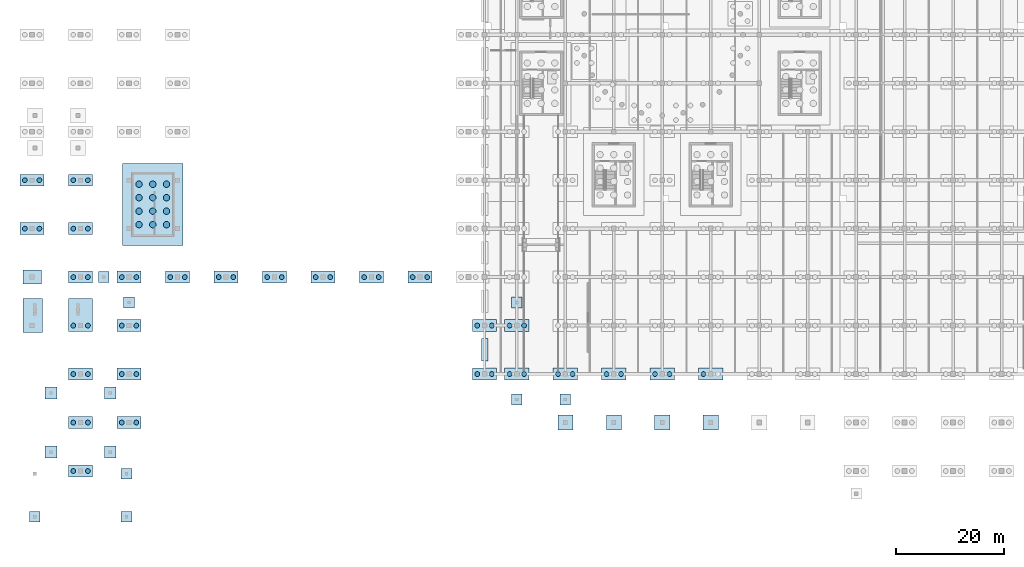
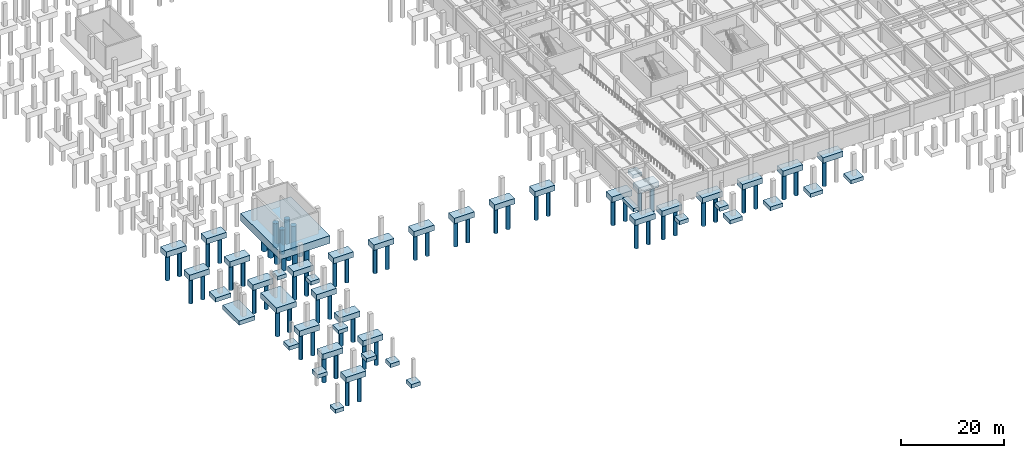
# One storey, part 1 of 27: 65 piles, 47 footings.
"""IFC4 building model written with IfcOpenShell, lengths in metres."""

from ifc_helpers import new_model, si_unit, direction, frame, origin, origin_2d, place, context, subcontext, project, spatial, polyline, circle, outline, extrude, material, layer, layer_set, material_profile, profile_set, type_object, element, save


model = new_model("IFC4")

# Units and contexts
model_context = context("Model", 3, precision=1e-05, world=origin(), true_north=direction((0.0, 1.0)))
body_context = subcontext(model_context, "Body", "Model", "MODEL_VIEW")
ifc_project = project(units=[si_unit("LENGTHUNIT", "METRE"), si_unit("AREAUNIT", "SQUARE_METRE"), si_unit("VOLUMEUNIT", "CUBIC_METRE"), si_unit("PLANEANGLEUNIT", "RADIAN"), si_unit("MASSUNIT", "GRAM", prefix="KILO")], contexts=[model_context])

# Site, building, storey
site_placement = place(None, origin())
site = spatial("IfcSite", under=ifc_project, at=site_placement, CompositionType="ELEMENT")
building_placement = place(site_placement, origin())
building = spatial("IfcBuilding", under=site, at=building_placement, Name="Dornveld Trade and Exhibition Forum", CompositionType="ELEMENT")
storey_placement = place(building_placement, frame((0.0, 0.0, -4.800048828125)))
storey = spatial("IfcBuildingStorey", under=building, at=storey_placement, Name="B1", CompositionType="ELEMENT", Elevation=-4.800048828125)

# Footings
ifc_material_1 = material(Name="Concrete C40/50", Category="concrete")
ifc_layer_1 = layer(ifc_material_1, 1.300048828125)
ifc_layer_set_1 = layer_set([ifc_layer_1], Name="Concrete C40/50")
footing_type_1 = type_object("IfcFootingType", Name="FT-CAP-2P", PredefinedType="PILE_CAP", material=ifc_layer_set_1)
footing_1_placement = place(storey_placement, frame((0.0, 0.0, -1.75)))
element("IfcFooting", 1, at=footing_1_placement, inside=storey, type_object=footing_type_1, Name="Multi-pile cap 13", PredefinedType="PILE_CAP", context=body_context, shape_type="SweptSolid", body=[
    extrude(outline(polyline([(-2.25, 43.89990234375), (2.25, 43.89990234375), (2.25, 46.10009765625), (-2.25, 46.10009765625), (-2.25, 43.89990234375)])), origin(), (0.0, 0.0, 1.0), 1.300048828125),
])
footing_2_placement = place(storey_placement, frame((0.0, 0.0, -1.75)))
element("IfcFooting", 2, at=footing_2_placement, inside=storey, type_object=footing_type_1, Name="Multi-pile cap 14", PredefinedType="PILE_CAP", context=body_context, shape_type="SweptSolid", body=[
    extrude(outline(polyline([(-2.25, 52.89990234375), (2.25, 52.89990234375), (2.25, 55.10009765625), (-2.25, 55.10009765625), (-2.25, 52.89990234375)])), origin(), (0.0, 0.0, 1.0), 1.300048828125),
])
footing_3_placement = place(storey_placement, frame((0.0, 0.0, -1.75)))
element("IfcFooting", 3, at=footing_3_placement, inside=storey, type_object=footing_type_1, Name="Multi-pile cap 27", PredefinedType="PILE_CAP", context=body_context, shape_type="SweptSolid", body=[
    extrude(outline(polyline([(6.75, -1.10009765625), (11.25, -1.10009765625), (11.25, 1.10009765625), (6.75, 1.10009765625), (6.75, -1.10009765625)])), origin(), (0.0, 0.0, 1.0), 1.300048828125),
])
footing_4_placement = place(storey_placement, frame((0.0, 0.0, -1.75)))
element("IfcFooting", 4, at=footing_4_placement, inside=storey, type_object=footing_type_1, Name="Multi-pile cap 28", PredefinedType="PILE_CAP", context=body_context, shape_type="SweptSolid", body=[
    extrude(outline(polyline([(6.75, 7.89990234375), (11.25, 7.89990234375), (11.25, 10.10009765625), (6.75, 10.10009765625), (6.75, 7.89990234375)])), origin(), (0.0, 0.0, 1.0), 1.300048828125),
])
footing_5_placement = place(storey_placement, frame((0.0, 0.0, -1.75)))
element("IfcFooting", 5, at=footing_5_placement, inside=storey, type_object=footing_type_1, Name="Multi-pile cap 29", PredefinedType="PILE_CAP", context=body_context, shape_type="SweptSolid", body=[
    extrude(outline(polyline([(6.75, 16.89990234375), (11.25, 16.89990234375), (11.25, 19.10009765625), (6.75, 19.10009765625), (6.75, 16.89990234375)])), origin(), (0.0, 0.0, 1.0), 1.300048828125),
])
footing_6_placement = place(storey_placement, frame((0.0, 0.0, -1.75)))
element("IfcFooting", 6, at=footing_6_placement, inside=storey, type_object=footing_type_1, Name="Multi-pile cap 30", PredefinedType="PILE_CAP", context=body_context, shape_type="SweptSolid", body=[
    extrude(outline(polyline([(6.75, 25.89990234375), (11.25, 25.89990234375), (11.25, 32.0), (6.75, 32.0), (6.75, 25.89990234375)])), origin(), (0.0, 0.0, 1.0), 1.300048828125),
])
footing_7_placement = place(storey_placement, frame((0.0, 0.0, -1.75)))
element("IfcFooting", 7, at=footing_7_placement, inside=storey, type_object=footing_type_1, Name="Multi-pile cap 31", PredefinedType="PILE_CAP", context=body_context, shape_type="SweptSolid", body=[
    extrude(outline(polyline([(6.75, 34.89990234375), (11.25, 34.89990234375), (11.25, 37.10009765625), (6.75, 37.10009765625), (6.75, 34.89990234375)])), origin(), (0.0, 0.0, 1.0), 1.300048828125),
])
footing_8_placement = place(storey_placement, frame((0.0, 0.0, -1.75)))
element("IfcFooting", 8, at=footing_8_placement, inside=storey, type_object=footing_type_1, Name="Multi-pile cap 32", PredefinedType="PILE_CAP", context=body_context, shape_type="SweptSolid", body=[
    extrude(outline(polyline([(6.75, 43.89990234375), (11.25, 43.89990234375), (11.25, 46.10009765625), (6.75, 46.10009765625), (6.75, 43.89990234375)])), origin(), (0.0, 0.0, 1.0), 1.300048828125),
])
footing_9_placement = place(storey_placement, frame((0.0, 0.0, -1.75)))
element("IfcFooting", 9, at=footing_9_placement, inside=storey, type_object=footing_type_1, Name="Multi-pile cap 33", PredefinedType="PILE_CAP", context=body_context, shape_type="SweptSolid", body=[
    extrude(outline(polyline([(6.75, 52.89990234375), (11.25, 52.89990234375), (11.25, 55.10009765625), (6.75, 55.10009765625), (6.75, 52.89990234375)])), origin(), (0.0, 0.0, 1.0), 1.300048828125),
])
footing_10_placement = place(storey_placement, frame((0.0, 0.0, -1.75)))
element("IfcFooting", 10, at=footing_10_placement, inside=storey, type_object=footing_type_1, Name="Multi-pile cap 46", PredefinedType="PILE_CAP", context=body_context, shape_type="SweptSolid", body=[
    extrude(outline(polyline([(15.75, 7.89990234375), (20.25, 7.89990234375), (20.25, 10.10009765625), (15.75, 10.10009765625), (15.75, 7.89990234375)])), origin(), (0.0, 0.0, 1.0), 1.300048828125),
])
footing_11_placement = place(storey_placement, frame((0.0, 0.0, -1.75)))
element("IfcFooting", 11, at=footing_11_placement, inside=storey, type_object=footing_type_1, Name="Multi-pile cap 47", PredefinedType="PILE_CAP", context=body_context, shape_type="SweptSolid", body=[
    extrude(outline(polyline([(15.75, 16.89990234375), (20.25, 16.89990234375), (20.25, 19.10009765625), (15.75, 19.10009765625), (15.75, 16.89990234375)])), origin(), (0.0, 0.0, 1.0), 1.300048828125),
])
footing_12_placement = place(storey_placement, frame((0.0, 0.0, -1.75)))
element("IfcFooting", 12, at=footing_12_placement, inside=storey, type_object=footing_type_1, Name="Multi-pile cap 48", PredefinedType="PILE_CAP", context=body_context, shape_type="SweptSolid", body=[
    extrude(outline(polyline([(15.75, 25.89990234375), (20.25, 25.89990234375), (20.25, 28.10009765625), (15.75, 28.10009765625), (15.75, 25.89990234375)])), origin(), (0.0, 0.0, 1.0), 1.300048828125),
])
footing_13_placement = place(storey_placement, frame((0.0, 0.0, -1.75)))
element("IfcFooting", 13, at=footing_13_placement, inside=storey, type_object=footing_type_1, Name="Multi-pile cap 49", PredefinedType="PILE_CAP", context=body_context, shape_type="SweptSolid", body=[
    extrude(outline(polyline([(15.75, 34.89990234375), (20.25, 34.89990234375), (20.25, 37.10009765625), (15.75, 37.10009765625), (15.75, 34.89990234375)])), origin(), (0.0, 0.0, 1.0), 1.300048828125),
])
footing_14_placement = place(storey_placement, frame((0.0, 0.0, -1.75)))
element("IfcFooting", 14, at=footing_14_placement, inside=storey, type_object=footing_type_1, Name="Multi-pile cap 60", PredefinedType="PILE_CAP", context=body_context, shape_type="SweptSolid", body=[
    extrude(outline(polyline([(24.75, 34.89990234375), (29.25, 34.89990234375), (29.25, 37.10009765625), (24.75, 37.10009765625), (24.75, 34.89990234375)])), origin(), (0.0, 0.0, 1.0), 1.300048828125),
])
footing_15_placement = place(storey_placement, frame((0.0, 0.0, -1.75)))
element("IfcFooting", 15, at=footing_15_placement, inside=storey, type_object=footing_type_1, Name="Multi-pile cap 71", PredefinedType="PILE_CAP", context=body_context, shape_type="SweptSolid", body=[
    extrude(outline(polyline([(33.75, 34.89990234375), (38.25, 34.89990234375), (38.25, 37.10009765625), (33.75, 37.10009765625), (33.75, 34.89990234375)])), origin(), (0.0, 0.0, 1.0), 1.300048828125),
])
footing_16_placement = place(storey_placement, frame((0.0, 0.0, -1.75)))
element("IfcFooting", 16, at=footing_16_placement, inside=storey, type_object=footing_type_1, Name="Multi-pile cap 73", PredefinedType="PILE_CAP", context=body_context, shape_type="SweptSolid", body=[
    extrude(outline(polyline([(42.75, 34.89990234375), (47.25, 34.89990234375), (47.25, 37.10009765625), (42.75, 37.10009765625), (42.75, 34.89990234375)])), origin(), (0.0, 0.0, 1.0), 1.300048828125),
])
footing_17_placement = place(storey_placement, frame((0.0, 0.0, -1.75)))
element("IfcFooting", 17, at=footing_17_placement, inside=storey, type_object=footing_type_1, Name="Multi-pile cap 75", PredefinedType="PILE_CAP", context=body_context, shape_type="SweptSolid", body=[
    extrude(outline(polyline([(51.75, 34.89990234375), (56.25, 34.89990234375), (56.25, 37.10009765625), (51.75, 37.10009765625), (51.75, 34.89990234375)])), origin(), (0.0, 0.0, 1.0), 1.300048828125),
])
footing_18_placement = place(storey_placement, frame((0.0, 0.0, -1.75)))
element("IfcFooting", 18, at=footing_18_placement, inside=storey, type_object=footing_type_1, Name="Multi-pile cap 77", PredefinedType="PILE_CAP", context=body_context, shape_type="SweptSolid", body=[
    extrude(outline(polyline([(60.75, 34.89990234375), (65.25, 34.89990234375), (65.25, 37.10009765625), (60.75, 37.10009765625), (60.75, 34.89990234375)])), origin(), (0.0, 0.0, 1.0), 1.300048828125),
])
footing_19_placement = place(storey_placement, frame((0.0, 0.0, -1.75)))
element("IfcFooting", 19, at=footing_19_placement, inside=storey, type_object=footing_type_1, Name="Multi-pile cap 79", PredefinedType="PILE_CAP", context=body_context, shape_type="SweptSolid", body=[
    extrude(outline(polyline([(69.75, 34.89990234375), (74.25, 34.89990234375), (74.25, 37.10009765625), (69.75, 37.10009765625), (69.75, 34.89990234375)])), origin(), (0.0, 0.0, 1.0), 1.300048828125),
])
footing_20_placement = place(storey_placement, frame((0.0, 0.0, -1.75)))
element("IfcFooting", 20, at=footing_20_placement, inside=storey, type_object=footing_type_1, Name="Multi-pile cap 93", PredefinedType="PILE_CAP", context=body_context, shape_type="SweptSolid", body=[
    extrude(outline(polyline([(81.75, 16.89990234375), (86.25, 16.89990234375), (86.25, 19.10009765625), (81.75, 19.10009765625), (81.75, 16.89990234375)])), origin(), (0.0, 0.0, 1.0), 1.300048828125),
])
footing_21_placement = place(storey_placement, frame((0.0, 0.0, -1.75)))
element("IfcFooting", 21, at=footing_21_placement, inside=storey, type_object=footing_type_1, Name="Multi-pile cap 94", PredefinedType="PILE_CAP", context=body_context, shape_type="SweptSolid", body=[
    extrude(outline(polyline([(81.75, 25.89990234375), (86.25, 25.89990234375), (86.25, 28.10009765625), (81.75, 28.10009765625), (81.75, 25.89990234375)])), origin(), (0.0, 0.0, 1.0), 1.300048828125),
])
footing_22_placement = place(storey_placement, frame((0.0, 0.0, -1.75)))
element("IfcFooting", 22, at=footing_22_placement, inside=storey, type_object=footing_type_1, Name="Multi-pile cap 95", PredefinedType="PILE_CAP", context=body_context, shape_type="SweptSolid", body=[
    extrude(outline(polyline([(87.75, 16.89990234375), (92.25, 16.89990234375), (92.25, 19.10009765625), (87.75, 19.10009765625), (87.75, 16.89990234375)])), origin(), (0.0, 0.0, 1.0), 1.300048828125),
])
footing_23_placement = place(storey_placement, frame((0.0, 0.0, -1.75)))
element("IfcFooting", 23, at=footing_23_placement, inside=storey, type_object=footing_type_1, Name="Multi-pile cap 96", PredefinedType="PILE_CAP", context=body_context, shape_type="SweptSolid", body=[
    extrude(outline(polyline([(87.75, 25.89990234375), (92.25, 25.89990234375), (92.25, 28.10009765625), (87.75, 28.10009765625), (87.75, 25.89990234375)])), origin(), (0.0, 0.0, 1.0), 1.300048828125),
])
footing_24_placement = place(storey_placement, frame((0.0, 0.0, -1.75)))
element("IfcFooting", 24, at=footing_24_placement, inside=storey, type_object=footing_type_1, Name="Multi-pile cap 110", PredefinedType="PILE_CAP", context=body_context, shape_type="SweptSolid", body=[
    extrude(outline(polyline([(96.75, 16.89990234375), (101.25, 16.89990234375), (101.25, 19.10009765625), (96.75, 19.10009765625), (96.75, 16.89990234375)])), origin(), (0.0, 0.0, 1.0), 1.300048828125),
])
footing_25_placement = place(storey_placement, frame((0.0, 0.0, -1.75)))
element("IfcFooting", 25, at=footing_25_placement, inside=storey, type_object=footing_type_1, Name="Multi-pile cap 126", PredefinedType="PILE_CAP", context=body_context, shape_type="SweptSolid", body=[
    extrude(outline(polyline([(105.75, 16.89990234375), (110.25, 16.89990234375), (110.25, 19.10009765625), (105.75, 19.10009765625), (105.75, 16.89990234375)])), origin(), (0.0, 0.0, 1.0), 1.300048828125),
])
footing_26_placement = place(storey_placement, frame((0.0, 0.0, -1.75)))
element("IfcFooting", 26, at=footing_26_placement, inside=storey, type_object=footing_type_1, Name="Multi-pile cap 135", PredefinedType="PILE_CAP", context=body_context, shape_type="SweptSolid", body=[
    extrude(outline(polyline([(114.75, 16.89990234375), (119.25, 16.89990234375), (119.25, 19.10009765625), (114.75, 19.10009765625), (114.75, 16.89990234375)])), origin(), (0.0, 0.0, 1.0), 1.300048828125),
])
footing_27_placement = place(storey_placement, frame((0.0, 0.0, -1.75)))
element("IfcFooting", 27, at=footing_27_placement, inside=storey, type_object=footing_type_1, Name="Multi-pile cap 149", PredefinedType="PILE_CAP", context=body_context, shape_type="SweptSolid", body=[
    extrude(outline(polyline([(123.75, 16.89990234375), (128.25, 16.89990234375), (128.25, 19.10009765625), (123.75, 19.10009765625), (123.75, 16.89990234375)])), origin(), (0.0, 0.0, 1.0), 1.300048828125),
])
ifc_material_2 = material(Name="Concrete C40/50", Category="concrete")
ifc_layer_2 = layer(ifc_material_2, 0.89990234375)
ifc_layer_set_2 = layer_set([ifc_layer_2], Name="Concrete C40/50")
footing_type_2 = type_object("IfcFootingType", Name="FT-PAD-CAN", PredefinedType="PAD_FOOTING", material=ifc_layer_set_2)
footing_28_placement = place(storey_placement, frame((0.0, 0.0, -1.349853515625)))
element("IfcFooting", 28, at=footing_28_placement, inside=storey, type_object=footing_type_2, Name="Canopy pad footing 3", PredefinedType="PAD_FOOTING", context=body_context, shape_type="SweptSolid", body=[
    extrude(outline(polyline([(97.60009765625, 7.60009765625), (100.39990234375, 7.60009765625), (100.39990234375, 10.39990234375), (97.60009765625, 10.39990234375), (97.60009765625, 7.60009765625)])), origin(), (0.0, 0.0, 1.0), 0.89990234375),
])
footing_29_placement = place(storey_placement, frame((0.0, 0.0, -1.349853515625)))
element("IfcFooting", 29, at=footing_29_placement, inside=storey, type_object=footing_type_2, Name="Canopy pad footing 4", PredefinedType="PAD_FOOTING", context=body_context, shape_type="SweptSolid", body=[
    extrude(outline(polyline([(106.60009765625, 7.60009765625), (109.39990234375, 7.60009765625), (109.39990234375, 10.39990234375), (106.60009765625, 10.39990234375), (106.60009765625, 7.60009765625)])), origin(), (0.0, 0.0, 1.0), 0.89990234375),
])
footing_30_placement = place(storey_placement, frame((0.0, 0.0, -1.349853515625)))
element("IfcFooting", 30, at=footing_30_placement, inside=storey, type_object=footing_type_2, Name="Canopy pad footing 5", PredefinedType="PAD_FOOTING", context=body_context, shape_type="SweptSolid", body=[
    extrude(outline(polyline([(115.60009765625, 7.60009765625), (118.39990234375, 7.60009765625), (118.39990234375, 10.39990234375), (115.60009765625, 10.39990234375), (115.60009765625, 7.60009765625)])), origin(), (0.0, 0.0, 1.0), 0.89990234375),
])
footing_31_placement = place(storey_placement, frame((0.0, 0.0, -1.349853515625)))
element("IfcFooting", 31, at=footing_31_placement, inside=storey, type_object=footing_type_2, Name="Canopy pad footing 6", PredefinedType="PAD_FOOTING", context=body_context, shape_type="SweptSolid", body=[
    extrude(outline(polyline([(124.60009765625, 7.60009765625), (127.39990234375, 7.60009765625), (127.39990234375, 10.39990234375), (124.60009765625, 10.39990234375), (124.60009765625, 7.60009765625)])), origin(), (0.0, 0.0, 1.0), 0.89990234375),
])
footing_32_placement = place(storey_placement, frame((0.0, 0.0, -1.349853515625)))
element("IfcFooting", 32, at=footing_32_placement, inside=storey, type_object=footing_type_2, Name="Paving edge pad footing 3", PredefinedType="PAD_FOOTING", context=body_context, shape_type="SweptSolid", body=[
    extrude(outline(polyline([(12.300048828125, 35.0), (14.300048828125, 35.0), (14.300048828125, 37.0), (12.300048828125, 37.0), (12.300048828125, 35.0)])), origin(), (0.0, 0.0, 1.0), 0.89990234375),
])
footing_33_placement = place(storey_placement, frame((0.0, 0.0, -1.349853515625)))
element("IfcFooting", 33, at=footing_33_placement, inside=storey, type_object=footing_type_2, Name="Paving edge pad footing 5", PredefinedType="PAD_FOOTING", context=body_context, shape_type="SweptSolid", body=[
    extrude(outline(polyline([(17.0, 30.300048828125), (19.0, 30.300048828125), (19.0, 32.300048828125), (17.0, 32.300048828125), (17.0, 30.300048828125)])), origin(), (0.0, 0.0, 1.0), 0.89990234375),
])
footing_34_placement = place(storey_placement, frame((0.0, 0.0, -1.349853515625)))
element("IfcFooting", 34, at=footing_34_placement, inside=storey, type_object=footing_type_2, Name="Paving edge pad footing 6", PredefinedType="PAD_FOOTING", context=body_context, shape_type="SweptSolid", body=[
    extrude(outline(polyline([(89.0, 30.300048828125), (91.0, 30.300048828125), (91.0, 32.300048828125), (89.0, 32.300048828125), (89.0, 30.300048828125)])), origin(), (0.0, 0.0, 1.0), 0.89990234375),
])
footing_35_placement = place(storey_placement, frame((0.0, 0.0, -1.349853515625)))
element("IfcFooting", 35, at=footing_35_placement, inside=storey, type_object=footing_type_2, Name="Paving edge pad footing 15", PredefinedType="PAD_FOOTING", context=body_context, shape_type="SweptSolid", body=[
    extrude(outline(polyline([(89.0, 12.300048828125), (91.0, 12.300048828125), (91.0, 14.300048828125), (89.0, 14.300048828125), (89.0, 12.300048828125)])), origin(), (0.0, 0.0, 1.0), 0.89990234375),
])
footing_36_placement = place(storey_placement, frame((0.0, 0.0, -1.349853515625)))
element("IfcFooting", 36, at=footing_36_placement, inside=storey, type_object=footing_type_2, Name="Paving edge pad footing 16", PredefinedType="PAD_FOOTING", context=body_context, shape_type="SweptSolid", body=[
    extrude(outline(polyline([(98.0, 12.300048828125), (100.0, 12.300048828125), (100.0, 14.300048828125), (98.0, 14.300048828125), (98.0, 12.300048828125)])), origin(), (0.0, 0.0, 1.0), 0.89990234375),
])
footing_37_placement = place(storey_placement, frame((0.0, 0.0, -1.349853515625)))
element("IfcFooting", 37, at=footing_37_placement, inside=storey, type_object=footing_type_2, Name="HGV entry pad 1", PredefinedType="PAD_FOOTING", context=body_context, shape_type="SweptSolid", body=[
    extrude(outline(polyline([(-0.5, -9.5), (1.5, -9.5), (1.5, -7.5), (-0.5, -7.5), (-0.5, -9.5)])), origin(), (0.0, 0.0, 1.0), 0.89990234375),
])
footing_38_placement = place(storey_placement, frame((0.0, 0.0, -1.349853515625)))
element("IfcFooting", 38, at=footing_38_placement, inside=storey, type_object=footing_type_2, Name="HGV entry pad 2", PredefinedType="PAD_FOOTING", context=body_context, shape_type="SweptSolid", body=[
    extrude(outline(polyline([(16.5, -9.5), (18.5, -9.5), (18.5, -7.5), (16.5, -7.5), (16.5, -9.5)])), origin(), (0.0, 0.0, 1.0), 0.89990234375),
])
footing_39_placement = place(storey_placement, frame((0.0, 0.0, -1.349853515625)))
element("IfcFooting", 39, at=footing_39_placement, inside=storey, type_object=footing_type_2, Name="HGV entry pad 4", PredefinedType="PAD_FOOTING", context=body_context, shape_type="SweptSolid", body=[
    extrude(outline(polyline([(16.5, -1.5), (18.5, -1.5), (18.5, 0.5), (16.5, 0.5), (16.5, -1.5)])), origin(), (0.0, 0.0, 1.0), 0.89990234375),
])
footing_40_placement = place(storey_placement, frame((0.0, 0.0, -1.349853515625)))
element("IfcFooting", 40, at=footing_40_placement, inside=storey, type_object=footing_type_2, Name="West service road pad footing 1", PredefinedType="PAD_FOOTING", context=body_context, shape_type="SweptSolid", body=[
    extrude(outline(polyline([(2.39990234375, 2.39990234375), (4.60009765625, 2.39990234375), (4.60009765625, 4.60009765625), (2.39990234375, 4.60009765625), (2.39990234375, 2.39990234375)])), origin(), (0.0, 0.0, 1.0), 0.89990234375),
])
footing_41_placement = place(storey_placement, frame((0.0, 0.0, -1.349853515625)))
element("IfcFooting", 41, at=footing_41_placement, inside=storey, type_object=footing_type_2, Name="West service road pad footing 2", PredefinedType="PAD_FOOTING", context=body_context, shape_type="SweptSolid", body=[
    extrude(outline(polyline([(13.39990234375, 2.39990234375), (15.60009765625, 2.39990234375), (15.60009765625, 4.60009765625), (13.39990234375, 4.60009765625), (13.39990234375, 2.39990234375)])), origin(), (0.0, 0.0, 1.0), 0.89990234375),
])
footing_42_placement = place(storey_placement, frame((0.0, 0.0, -1.349853515625)))
element("IfcFooting", 42, at=footing_42_placement, inside=storey, type_object=footing_type_2, Name="West service road pad footing 3", PredefinedType="PAD_FOOTING", context=body_context, shape_type="SweptSolid", body=[
    extrude(outline(polyline([(2.39990234375, 13.39990234375), (4.60009765625, 13.39990234375), (4.60009765625, 15.60009765625), (2.39990234375, 15.60009765625), (2.39990234375, 13.39990234375)])), origin(), (0.0, 0.0, 1.0), 0.89990234375),
])
footing_43_placement = place(storey_placement, frame((0.0, 0.0, -1.349853515625)))
element("IfcFooting", 43, at=footing_43_placement, inside=storey, type_object=footing_type_2, Name="West service road pad footing 4", PredefinedType="PAD_FOOTING", context=body_context, shape_type="SweptSolid", body=[
    extrude(outline(polyline([(13.39990234375, 13.39990234375), (15.60009765625, 13.39990234375), (15.60009765625, 15.60009765625), (13.39990234375, 15.60009765625), (13.39990234375, 13.39990234375)])), origin(), (0.0, 0.0, 1.0), 0.89990234375),
])
ifc_material_3 = material(Name="Concrete C40/50", Category="concrete")
ifc_layer_3 = layer(ifc_material_3, 1.0)
ifc_layer_set_3 = layer_set([ifc_layer_3], Name="Concrete C40/50")
footing_type_3 = type_object("IfcFootingType", Name="FT-PAD-VIAD", PredefinedType="PAD_FOOTING", material=ifc_layer_set_3)
footing_44_placement = place(storey_placement, frame((0.0, 0.0, -1.449951171875)))
element("IfcFooting", 44, at=footing_44_placement, inside=storey, type_object=footing_type_3, Name="Viaduct pad footing 1", PredefinedType="PAD_FOOTING", context=body_context, shape_type="SweptSolid", body=[
    extrude(outline(polyline([(-1.699951171875, 25.699951171875), (1.89990234375, 25.699951171875), (1.89990234375, 32.0), (-1.699951171875, 32.0), (-1.699951171875, 25.699951171875)])), origin(), (0.0, 0.0, 1.0), 1.0),
])
footing_45_placement = place(storey_placement, frame((0.0, 0.0, -1.449951171875)))
element("IfcFooting", 45, at=footing_45_placement, inside=storey, type_object=footing_type_3, Name="Viaduct pad footing 2", PredefinedType="PAD_FOOTING", context=body_context, shape_type="SweptSolid", body=[
    extrude(outline(polyline([(-1.699951171875, 34.699951171875), (1.699951171875, 34.699951171875), (1.699951171875, 37.300048828125), (-1.699951171875, 37.300048828125), (-1.699951171875, 34.699951171875)])), origin(), (0.0, 0.0, 1.0), 1.0),
])
ifc_material_4 = material(Name="Concrete C40/50", Category="concrete")
ifc_layer_4 = layer(ifc_material_4, 1.800048828125)
ifc_layer_set_4 = layer_set([ifc_layer_4], Name="Concrete C40/50")
footing_type_4 = type_object("IfcFootingType", Name="FT-RAFT-CORE", PredefinedType="PILE_CAP", material=ifc_layer_set_4)
footing_46_placement = place(storey_placement, frame((0.0, 0.0, -2.25)))
element("IfcFooting", 46, at=footing_46_placement, inside=storey, type_object=footing_type_4, Name="CORE-09 piled foundation raft", PredefinedType="PILE_CAP", context=body_context, shape_type="SweptSolid", body=[
    extrude(outline(polyline([(16.800048828125, 41.89990234375), (28.0, 41.89990234375), (28.0, 57.10009765625), (16.800048828125, 57.10009765625), (16.800048828125, 41.89990234375)])), origin(), (0.0, 0.0, 1.0), 1.800048828125),
])
ifc_material_5 = material(Name="Concrete C40/50", Category="concrete")
ifc_layer_5 = layer(ifc_material_5, 0.800048828125)
ifc_layer_set_5 = layer_set([ifc_layer_5], Name="Concrete C40/50")
footing_type_5 = type_object("IfcFootingType", Name="FT-STRIP-900", PredefinedType="STRIP_FOOTING", material=ifc_layer_set_5)
footing_47_placement = place(storey_placement, frame((0.0, 0.0, -1.25)))
element("IfcFooting", 47, at=footing_47_placement, inside=storey, type_object=footing_type_5, Name="Basement perimeter strip footing 14", PredefinedType="STRIP_FOOTING", context=body_context, shape_type="SweptSolid", body=[
    extrude(outline(polyline([(83.39990234375, 20.39990234375), (84.60009765625, 20.39990234375), (84.60009765625, 24.60009765625), (83.39990234375, 24.60009765625), (83.39990234375, 20.39990234375)])), origin(), (0.0, 0.0, 1.0), 0.800048828125),
])

# Piles
ifc_material_6 = material(Name="Concrete C40/50", Category="concrete")
ifc_material_profile_1 = material_profile(ifc_material_6, circle(Radius=0.60009765625, at=origin_2d()), Name="PILE D1200")
ifc_profile_set_1 = profile_set([ifc_material_profile_1], Name="Concrete C40/50")
pile_type_1 = type_object("IfcPileType", Name="PILE-B1200", PredefinedType="BORED", material=ifc_profile_set_1)
for number, where, z_axis, x_axis, name in (
    (48, (19.85009765625, 45.75, -2.14990234375), (0.0, 0.0, -1.0), (1.0, 0.0, 0.0), "CORE-09 rock-socketed bored pile 1"),
    (49, (19.85009765625, 48.25, -2.14990234375), (0.0, 0.0, -1.0), (1.0, 0.0, 0.0), "CORE-09 rock-socketed bored pile 2"),
    (50, (19.85009765625, 50.75, -2.14990234375), (0.0, 0.0, -1.0), (1.0, 0.0, 0.0), "CORE-09 rock-socketed bored pile 3"),
    (51, (19.85009765625, 53.25, -2.14990234375), (0.0, 0.0, -1.0), (1.0, 0.0, 0.0), "CORE-09 rock-socketed bored pile 4"),
    (52, (22.39990234375, 45.75, -2.14990234375), (0.0, 0.0, -1.0), (1.0, 0.0, 0.0), "CORE-09 rock-socketed bored pile 5"),
    (53, (22.39990234375, 48.25, -2.14990234375), (0.0, 0.0, -1.0), (1.0, 0.0, 0.0), "CORE-09 rock-socketed bored pile 6"),
    (54, (22.39990234375, 50.75, -2.14990234375), (0.0, 0.0, -1.0), (1.0, 0.0, 0.0), "CORE-09 rock-socketed bored pile 7"),
    (55, (22.39990234375, 53.25, -2.14990234375), (0.0, 0.0, -1.0), (1.0, 0.0, 0.0), "CORE-09 rock-socketed bored pile 8"),
    (56, (24.949951171875, 45.75, -2.14990234375), (0.0, 0.0, -1.0), (1.0, 0.0, 0.0), "CORE-09 rock-socketed bored pile 9"),
    (57, (24.949951171875, 48.25, -2.14990234375), (0.0, 0.0, -1.0), (1.0, 0.0, 0.0), "CORE-09 rock-socketed bored pile 10"),
    (58, (24.949951171875, 50.75, -2.14990234375), (0.0, 0.0, -1.0), (1.0, 0.0, 0.0), "CORE-09 rock-socketed bored pile 11"),
    (59, (24.949951171875, 53.25, -2.14990234375), (0.0, 0.0, -1.0), (1.0, 0.0, 0.0), "CORE-09 rock-socketed bored pile 12"),
):
    element("IfcPile", number, at=place(storey_placement, frame(where, z_axis=z_axis, x_axis=x_axis)), inside=storey, type_object=pile_type_1, Name=name, PredefinedType="BORED", context=body_context, shape_type="SweptSolid", body=[
        extrude(circle(Radius=0.60009765625, at=origin_2d()), origin(), (0.0, 0.0, 1.0), 5.75),
    ])
ifc_material_7 = material(Name="Concrete C40/50", Category="concrete")
ifc_material_profile_2 = material_profile(ifc_material_7, circle(Radius=0.449951171875, at=origin_2d()), Name="PILE D900")
ifc_profile_set_2 = profile_set([ifc_material_profile_2], Name="Concrete C40/50")
pile_type_2 = type_object("IfcPileType", Name="PILE-B900", PredefinedType="BORED", material=ifc_profile_set_2)
for number, where, z_axis, x_axis, name in (
    (60, (-1.35009765625, 45.0, -1.64990234375), (0.0, 0.0, -1.0), (1.0, 0.0, 0.0), "Cap 13 rock-socketed pile 1"),
    (61, (1.35009765625, 45.0, -1.64990234375), (0.0, 0.0, -1.0), (1.0, 0.0, 0.0), "Cap 13 rock-socketed pile 2"),
    (62, (-1.35009765625, 54.0, -1.64990234375), (0.0, 0.0, -1.0), (1.0, 0.0, 0.0), "Cap 14 rock-socketed pile 1"),
    (63, (1.35009765625, 54.0, -1.64990234375), (0.0, 0.0, -1.0), (1.0, 0.0, 0.0), "Cap 14 rock-socketed pile 2"),
    (64, (7.64990234375, 0.0, -1.64990234375), (0.0, 0.0, -1.0), (1.0, 0.0, 0.0), "Cap 27 rock-socketed pile 1"),
    (65, (10.35009765625, 0.0, -1.64990234375), (0.0, 0.0, -1.0), (1.0, 0.0, 0.0), "Cap 27 rock-socketed pile 2"),
    (66, (7.64990234375, 9.0, -1.64990234375), (0.0, 0.0, -1.0), (1.0, 0.0, 0.0), "Cap 28 rock-socketed pile 1"),
    (67, (10.35009765625, 9.0, -1.64990234375), (0.0, 0.0, -1.0), (1.0, 0.0, 0.0), "Cap 28 rock-socketed pile 2"),
    (68, (7.64990234375, 18.0, -1.64990234375), (0.0, 0.0, -1.0), (1.0, 0.0, 0.0), "Cap 29 rock-socketed pile 1"),
    (69, (10.35009765625, 18.0, -1.64990234375), (0.0, 0.0, -1.0), (1.0, 0.0, 0.0), "Cap 29 rock-socketed pile 2"),
    (70, (7.64990234375, 27.0, -1.64990234375), (0.0, 0.0, -1.0), (1.0, 0.0, 0.0), "Cap 30 rock-socketed pile 1"),
    (71, (10.35009765625, 27.0, -1.64990234375), (0.0, 0.0, -1.0), (1.0, 0.0, 0.0), "Cap 30 rock-socketed pile 2"),
    (72, (7.64990234375, 36.0, -1.64990234375), (0.0, 0.0, -1.0), (1.0, 0.0, 0.0), "Cap 31 rock-socketed pile 1"),
    (73, (10.35009765625, 36.0, -1.64990234375), (0.0, 0.0, -1.0), (1.0, 0.0, 0.0), "Cap 31 rock-socketed pile 2"),
    (74, (7.64990234375, 45.0, -1.64990234375), (0.0, 0.0, -1.0), (1.0, 0.0, 0.0), "Cap 32 rock-socketed pile 1"),
    (75, (10.35009765625, 45.0, -1.64990234375), (0.0, 0.0, -1.0), (1.0, 0.0, 0.0), "Cap 32 rock-socketed pile 2"),
    (76, (7.64990234375, 54.0, -1.64990234375), (0.0, 0.0, -1.0), (1.0, 0.0, 0.0), "Cap 33 rock-socketed pile 1"),
    (77, (10.35009765625, 54.0, -1.64990234375), (0.0, 0.0, -1.0), (1.0, 0.0, 0.0), "Cap 33 rock-socketed pile 2"),
    (78, (16.64990234375, 9.0, -1.64990234375), (0.0, 0.0, -1.0), (1.0, 0.0, 0.0), "Cap 46 rock-socketed pile 1"),
    (79, (19.35009765625, 9.0, -1.64990234375), (0.0, 0.0, -1.0), (1.0, 0.0, 0.0), "Cap 46 rock-socketed pile 2"),
    (80, (16.64990234375, 18.0, -1.64990234375), (0.0, 0.0, -1.0), (1.0, 0.0, 0.0), "Cap 47 rock-socketed pile 1"),
    (81, (19.35009765625, 18.0, -1.64990234375), (0.0, 0.0, -1.0), (1.0, 0.0, 0.0), "Cap 47 rock-socketed pile 2"),
    (82, (16.64990234375, 27.0, -1.64990234375), (0.0, 0.0, -1.0), (1.0, 0.0, 0.0), "Cap 48 rock-socketed pile 1"),
    (83, (19.35009765625, 27.0, -1.64990234375), (0.0, 0.0, -1.0), (1.0, 0.0, 0.0), "Cap 48 rock-socketed pile 2"),
    (84, (16.64990234375, 36.0, -1.64990234375), (0.0, 0.0, -1.0), (1.0, 0.0, 0.0), "Cap 49 rock-socketed pile 1"),
    (85, (19.35009765625, 36.0, -1.64990234375), (0.0, 0.0, -1.0), (1.0, 0.0, 0.0), "Cap 49 rock-socketed pile 2"),
    (86, (25.64990234375, 36.0, -1.64990234375), (0.0, 0.0, -1.0), (1.0, 0.0, 0.0), "Cap 60 rock-socketed pile 1"),
    (87, (28.35009765625, 36.0, -1.64990234375), (0.0, 0.0, -1.0), (1.0, 0.0, 0.0), "Cap 60 rock-socketed pile 2"),
    (88, (34.64990234375, 36.0, -1.64990234375), (0.0, 0.0, -1.0), (1.0, 0.0, 0.0), "Cap 71 rock-socketed pile 1"),
    (89, (37.35009765625, 36.0, -1.64990234375), (0.0, 0.0, -1.0), (1.0, 0.0, 0.0), "Cap 71 rock-socketed pile 2"),
    (90, (43.64990234375, 36.0, -1.64990234375), (0.0, 0.0, -1.0), (1.0, 0.0, 0.0), "Cap 73 rock-socketed pile 1"),
    (91, (46.35009765625, 36.0, -1.64990234375), (0.0, 0.0, -1.0), (1.0, 0.0, 0.0), "Cap 73 rock-socketed pile 2"),
    (92, (52.64990234375, 36.0, -1.64990234375), (0.0, 0.0, -1.0), (1.0, 0.0, 0.0), "Cap 75 rock-socketed pile 1"),
    (93, (55.35009765625, 36.0, -1.64990234375), (0.0, 0.0, -1.0), (1.0, 0.0, 0.0), "Cap 75 rock-socketed pile 2"),
    (94, (61.64990234375, 36.0, -1.64990234375), (0.0, 0.0, -1.0), (1.0, 0.0, 0.0), "Cap 77 rock-socketed pile 1"),
    (95, (64.35009765625, 36.0, -1.64990234375), (0.0, 0.0, -1.0), (1.0, 0.0, 0.0), "Cap 77 rock-socketed pile 2"),
    (96, (70.64990234375, 36.0, -1.64990234375), (0.0, 0.0, -1.0), (1.0, 0.0, 0.0), "Cap 79 rock-socketed pile 1"),
    (97, (73.35009765625, 36.0, -1.64990234375), (0.0, 0.0, -1.0), (1.0, 0.0, 0.0), "Cap 79 rock-socketed pile 2"),
    (98, (82.64990234375, 18.0, -1.64990234375), (0.0, 0.0, -1.0), (1.0, 0.0, 0.0), "Cap 93 rock-socketed pile 1"),
    (99, (85.35009765625, 18.0, -1.64990234375), (0.0, 0.0, -1.0), (1.0, 0.0, 0.0), "Cap 93 rock-socketed pile 2"),
    (100, (82.64990234375, 27.0, -1.64990234375), (0.0, 0.0, -1.0), (1.0, 0.0, 0.0), "Cap 94 rock-socketed pile 1"),
    (101, (85.35009765625, 27.0, -1.64990234375), (0.0, 0.0, -1.0), (1.0, 0.0, 0.0), "Cap 94 rock-socketed pile 2"),
    (102, (88.64990234375, 18.0, -1.64990234375), (0.0, 0.0, -1.0), (1.0, 0.0, 0.0), "Cap 95 rock-socketed pile 1"),
    (103, (91.35009765625, 18.0, -1.64990234375), (0.0, 0.0, -1.0), (1.0, 0.0, 0.0), "Cap 95 rock-socketed pile 2"),
    (104, (88.64990234375, 27.0, -1.64990234375), (0.0, 0.0, -1.0), (1.0, 0.0, 0.0), "Cap 96 rock-socketed pile 1"),
    (105, (91.35009765625, 27.0, -1.64990234375), (0.0, 0.0, -1.0), (1.0, 0.0, 0.0), "Cap 96 rock-socketed pile 2"),
    (106, (97.64990234375, 18.0, -1.64990234375), (0.0, 0.0, -1.0), (1.0, 0.0, 0.0), "Cap 110 rock-socketed pile 1"),
    (107, (100.35009765625, 18.0, -1.64990234375), (0.0, 0.0, -1.0), (1.0, 0.0, 0.0), "Cap 110 rock-socketed pile 2"),
    (108, (106.64990234375, 18.0, -1.64990234375), (0.0, 0.0, -1.0), (1.0, 0.0, 0.0), "Cap 126 rock-socketed pile 1"),
    (109, (109.35009765625, 18.0, -1.64990234375), (0.0, 0.0, -1.0), (1.0, 0.0, 0.0), "Cap 126 rock-socketed pile 2"),
    (110, (115.64990234375, 18.0, -1.64990234375), (0.0, 0.0, -1.0), (1.0, 0.0, 0.0), "Cap 135 rock-socketed pile 1"),
    (111, (118.35009765625, 18.0, -1.64990234375), (0.0, 0.0, -1.0), (1.0, 0.0, 0.0), "Cap 135 rock-socketed pile 2"),
    (112, (124.64990234375, 18.0, -1.64990234375), (0.0, 0.0, -1.0), (1.0, 0.0, 0.0), "Cap 149 rock-socketed pile 1"),
):
    element("IfcPile", number, at=place(storey_placement, frame(where, z_axis=z_axis, x_axis=x_axis)), inside=storey, type_object=pile_type_2, Name=name, PredefinedType="BORED", context=body_context, shape_type="SweptSolid", body=[
        extrude(circle(Radius=0.449951171875, at=origin_2d()), origin(), (0.0, 0.0, 1.0), 6.25),
    ])

save(model, "model.ifc")
